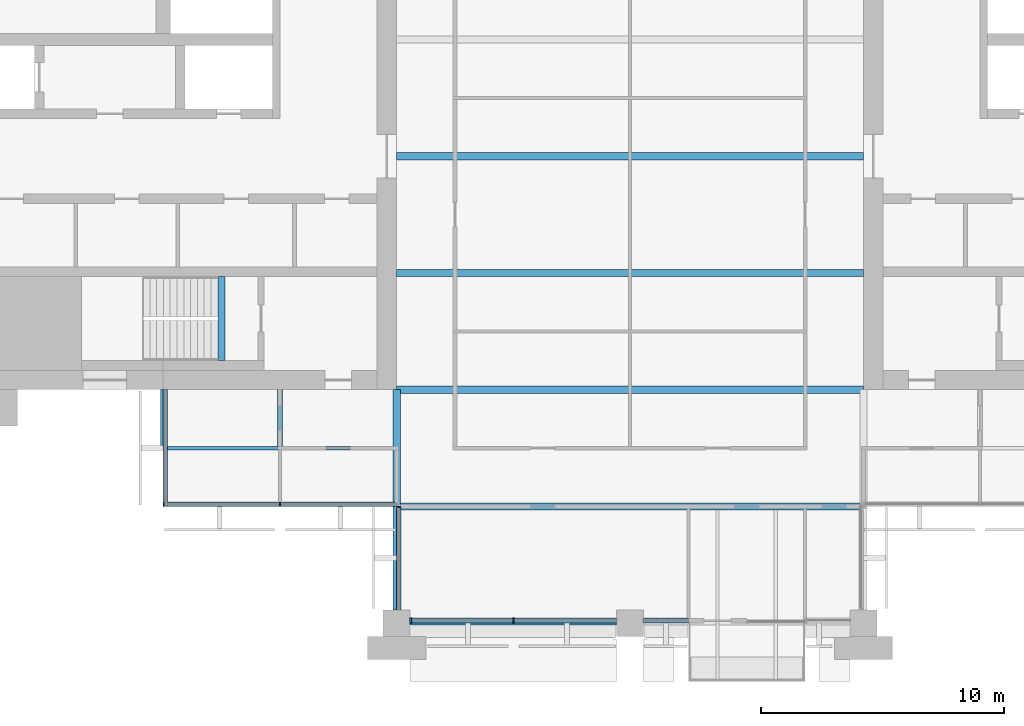
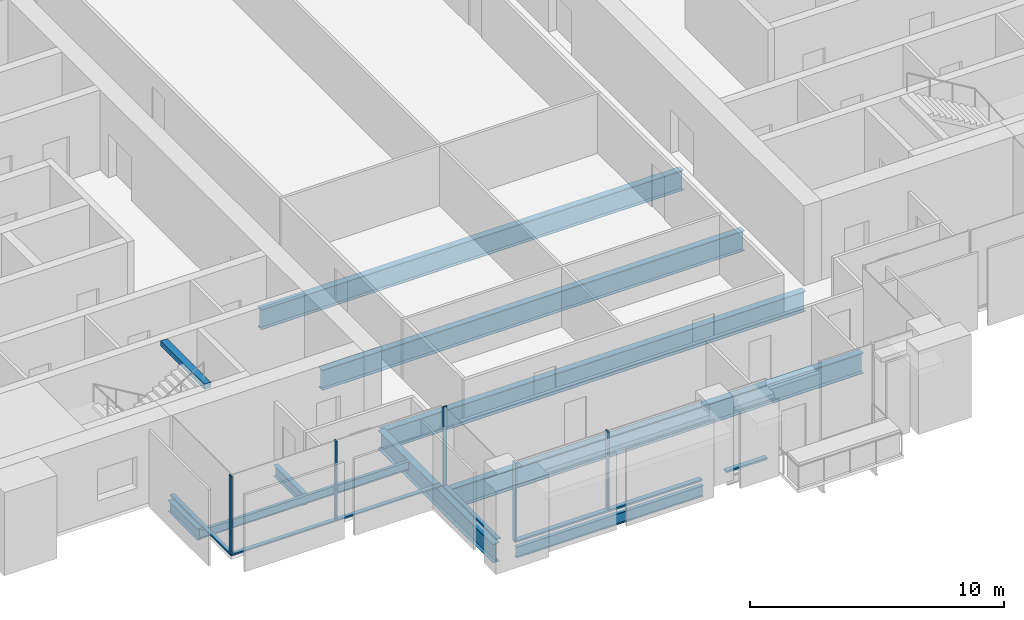
# One storey, part 2 of 14: 10 beams, 10 members, 4 elements without a shape of their own.
"""IFC4 building model written with IfcOpenShell, lengths in metres."""

from ifc_helpers import new_model, si_unit, direction, frame, origin, origin_2d, place, context, subcontext, project, spatial, rectangle, i_section, extrude, material, material_profile, profile_set, type_object, element, aggregate, save


model = new_model("IFC4")

# Units and contexts
model_context = context("Model", 3, precision=1e-05, world=origin(), true_north=direction((0.0, 1.0)))
body_context = subcontext(model_context, "Body", "Model", "MODEL_VIEW")
ifc_project = project(units=[si_unit("LENGTHUNIT", "METRE"), si_unit("AREAUNIT", "SQUARE_METRE"), si_unit("VOLUMEUNIT", "CUBIC_METRE"), si_unit("PLANEANGLEUNIT", "RADIAN"), si_unit("MASSUNIT", "GRAM", prefix="KILO")], contexts=[model_context])

# Site, building, storey
site_placement = place(None, origin())
site = spatial("IfcSite", under=ifc_project, at=site_placement, CompositionType="ELEMENT")
building_placement = place(site_placement, origin())
building = spatial("IfcBuilding", under=site, at=building_placement, Name="Baori Bourse Tower", CompositionType="ELEMENT")
storey_placement = place(building_placement, frame((0.0, 0.0, 197.199951171875)))
storey = spatial("IfcBuildingStorey", under=building, at=storey_placement, Name="L42", CompositionType="ELEMENT", Elevation=197.199951171875)

# Curtain wall, members
ifc_material_1 = material(Name="Pale anodised aluminium", Category="aluminium")
curtain_wall_type_1 = type_object("IfcCurtainWallType", Name="CW2 Curtain wall", PredefinedType="NOTDEFINED", material=ifc_material_1)
curtain_wall_1_placement = place(storey_placement, origin())
curtain_wall_1 = element("IfcCurtainWall", 1, at=curtain_wall_1_placement, inside=storey, type_object=curtain_wall_type_1, Name="Curtain wall CW2 L42 11", PredefinedType="NOTDEFINED")
ifc_material_2 = material(Name="Pale anodised aluminium", Category="aluminium")
ifc_material_profile_1 = material_profile(ifc_material_2, rectangle(XDim=0.179931640625, YDim=0.054931640625, at=origin_2d()), Name="Mullion 55x180")
ifc_profile_set_1 = profile_set([ifc_material_profile_1], Name="Pale anodised aluminium")
member_type_1 = type_object("IfcMemberType", Name="CW2 Curtain wall mullion", PredefinedType="MULLION", material=ifc_profile_set_1)
member_1_placement = place(storey_placement, frame((9.62744140625, 4.889892578125, 0.070068359375), z_axis=(0.0, 0.0, 1.0), x_axis=(0.0, 1.0, 0.0)))
member_1 = element("IfcMember", 2, at=member_1_placement, type_object=member_type_1, Name="Curtain wall CW2 mullion", PredefinedType="MULLION", context=body_context, shape_type="SweptSolid", body=[
    extrude(rectangle(XDim=0.179931640625, YDim=0.054931640625, at=origin_2d()), origin(), (0.0, 0.0, 1.0), 3.77001953125),
])
member_2_placement = place(storey_placement, frame((14.39990234375, 4.889892578125, 0.070068359375), z_axis=(0.0, 0.0, 1.0), x_axis=(0.0, 1.0, 0.0)))
member_2 = element("IfcMember", 3, at=member_2_placement, type_object=member_type_1, Name="Curtain wall CW2 mullion", PredefinedType="MULLION", context=body_context, shape_type="SweptSolid", body=[
    extrude(rectangle(XDim=0.179931640625, YDim=0.054931640625, at=origin_2d()), origin(), (0.0, 0.0, 1.0), 3.77001953125),
])

# Curtain wall, member
curtain_wall_2_placement = place(storey_placement, origin())
curtain_wall_2 = element("IfcCurtainWall", 4, at=curtain_wall_2_placement, inside=storey, type_object=curtain_wall_type_1, Name="Curtain wall CW2 L42 12", PredefinedType="NOTDEFINED")
member_3_placement = place(storey_placement, frame((19.2900390625, 4.7724609375, 0.070068359375), z_axis=(0.0, 0.0, 1.0), x_axis=(1.0, 0.0, 0.0)))
member_3 = element("IfcMember", 5, at=member_3_placement, type_object=member_type_1, Name="Curtain wall CW2 mullion", PredefinedType="MULLION", context=body_context, shape_type="SweptSolid", body=[
    extrude(rectangle(XDim=0.179931640625, YDim=0.054931640625, at=origin_2d()), origin(), (0.0, 0.0, 1.0), 3.77001953125),
])

curtain_wall_3_placement = place(storey_placement, origin())
curtain_wall_3 = element("IfcCurtainWall", 6, at=curtain_wall_3_placement, inside=storey, type_object=curtain_wall_type_1, Name="Curtain wall CW2 L42 10", PredefinedType="NOTDEFINED")
ifc_material_3 = material(Name="Pale anodised aluminium", Category="aluminium")
ifc_material_profile_2 = material_profile(ifc_material_3, rectangle(XDim=0.179931640625, YDim=0.070068359375, at=origin_2d()), Name="Transom 70x180")
ifc_profile_set_2 = profile_set([ifc_material_profile_2], Name="Pale anodised aluminium")
member_type_2 = type_object("IfcMemberType", Name="CW2 Curtain wall transom", PredefinedType="USERDEFINED", material=ifc_profile_set_2)
member_4_placement = place(storey_placement, frame((9.68994140625, 9.60009765625, 0.03515625), z_axis=(0.0, -1.0, 0.0), x_axis=(1.0, 0.0, 0.0)))
member_4 = element("IfcMember", 7, at=member_4_placement, type_object=member_type_2, Name="Curtain wall CW2 sill rail", ObjectType="TRANSOM", PredefinedType="USERDEFINED", context=body_context, shape_type="SweptSolid", body=[
    extrude(rectangle(XDim=0.179931640625, YDim=0.070068359375, at=origin_2d()), origin(), (0.0, 0.0, 1.0), 4.800048828125),
])
aggregate(curtain_wall_3, [member_4])

# Member
member_5_placement = place(storey_placement, frame((9.60009765625, 4.889892578125, 0.03515625), z_axis=(1.0, 0.0, 0.0), x_axis=(0.0, 1.0, 0.0)))
member_5 = element("IfcMember", 8, at=member_5_placement, type_object=member_type_2, Name="Curtain wall CW2 sill rail", ObjectType="TRANSOM", PredefinedType="USERDEFINED", context=body_context, shape_type="SweptSolid", body=[
    extrude(rectangle(XDim=0.179931640625, YDim=0.070068359375, at=origin_2d()), origin(), (0.0, 0.0, 1.0), 9.599853515625),
])

aggregate(curtain_wall_1, [member_5, member_1, member_2])

member_6_placement = place(storey_placement, frame((19.2900390625, 4.800048828125, 0.03515625), z_axis=(0.0, -1.0, 0.0), x_axis=(1.0, 0.0, 0.0)))
member_6 = element("IfcMember", 9, at=member_6_placement, type_object=member_type_2, Name="Curtain wall CW2 sill rail", ObjectType="TRANSOM", PredefinedType="USERDEFINED", context=body_context, shape_type="SweptSolid", body=[
    extrude(rectangle(XDim=0.179931640625, YDim=0.070068359375, at=origin_2d()), origin(), (0.0, 0.0, 1.0), 4.25),
])

aggregate(curtain_wall_2, [member_6, member_3])

# Curtain wall, members
ifc_material_4 = material(Name="Pale anodised aluminium", Category="aluminium")
curtain_wall_type_2 = type_object("IfcCurtainWallType", Name="CW5 Curtain wall", PredefinedType="NOTDEFINED", material=ifc_material_4)
curtain_wall_4_placement = place(storey_placement, origin())
curtain_wall_4 = element("IfcCurtainWall", 10, at=curtain_wall_4_placement, inside=storey, type_object=curtain_wall_type_2, Name="Curtain wall CW5 L42 13", PredefinedType="NOTDEFINED")
ifc_material_5 = material(Name="Pale anodised aluminium", Category="aluminium")
ifc_material_profile_3 = material_profile(ifc_material_5, rectangle(XDim=0.219970703125, YDim=0.06494140625, at=origin_2d()), Name="Mullion 65x220")
ifc_profile_set_3 = profile_set([ifc_material_profile_3], Name="Pale anodised aluminium")
member_type_3 = type_object("IfcMemberType", Name="CW5 Curtain wall mullion", PredefinedType="MULLION", material=ifc_profile_set_3)
member_7_placement = place(storey_placement, frame((19.782470703125, 0.110107421875, 0.0849609375), z_axis=(0.0, 0.0, 1.0), x_axis=(0.0, 1.0, 0.0)))
member_7 = element("IfcMember", 11, at=member_7_placement, type_object=member_type_3, Name="Curtain wall CW5 mullion", PredefinedType="MULLION", context=body_context, shape_type="SweptSolid", body=[
    extrude(rectangle(XDim=0.219970703125, YDim=0.06494140625, at=origin_2d()), origin(), (0.0, 0.0, 1.0), 3.755126953125),
])
member_8_placement = place(storey_placement, frame((24.0, 0.110107421875, 0.0849609375), z_axis=(0.0, 0.0, 1.0), x_axis=(0.0, 1.0, 0.0)))
member_8 = element("IfcMember", 12, at=member_8_placement, type_object=member_type_3, Name="Curtain wall CW5 mullion", PredefinedType="MULLION", context=body_context, shape_type="SweptSolid", body=[
    extrude(rectangle(XDim=0.219970703125, YDim=0.06494140625, at=origin_2d()), origin(), (0.0, 0.0, 1.0), 3.755126953125),
])
ifc_material_6 = material(Name="Pale anodised aluminium", Category="aluminium")
ifc_material_profile_4 = material_profile(ifc_material_6, rectangle(XDim=0.219970703125, YDim=0.0849609375, at=origin_2d()), Name="Transom 85x220")
ifc_profile_set_4 = profile_set([ifc_material_profile_4], Name="Pale anodised aluminium")
member_type_4 = type_object("IfcMemberType", Name="CW5 Curtain wall transom", PredefinedType="USERDEFINED", material=ifc_profile_set_4)
member_9_placement = place(storey_placement, frame((19.75, 0.110107421875, 0.04248046875), z_axis=(1.0, 0.0, 0.0), x_axis=(0.0, 1.0, 0.0)))
member_9 = element("IfcMember", 13, at=member_9_placement, type_object=member_type_4, Name="Curtain wall CW5 sill rail", ObjectType="TRANSOM", PredefinedType="USERDEFINED", context=body_context, shape_type="SweptSolid", body=[
    extrude(rectangle(XDim=0.219970703125, YDim=0.0849609375, at=origin_2d()), origin(), (0.0, 0.0, 1.0), 8.5),
])
member_10_placement = place(storey_placement, frame((29.35009765625, 0.110107421875, 0.04248046875), z_axis=(1.0, 0.0, 0.0), x_axis=(0.0, 1.0, 0.0)))
member_10 = element("IfcMember", 14, at=member_10_placement, type_object=member_type_4, Name="Curtain wall CW5 sill rail", ObjectType="TRANSOM", PredefinedType="USERDEFINED", context=body_context, shape_type="SweptSolid", body=[
    extrude(rectangle(XDim=0.219970703125, YDim=0.0849609375, at=origin_2d()), origin(), (0.0, 0.0, 1.0), 1.849853515625),
])
aggregate(curtain_wall_4, [member_9, member_7, member_8, member_10])

# Beams
ifc_material_7 = material(Name="Steel A992 Gr 50", Category="steel")
ifc_material_profile_5 = material_profile(ifc_material_7, i_section(OverallWidth=0.21240234375, OverallDepth=0.54345703125, WebThickness=0.01318359375, FlangeThickness=0.021240234375, at=origin_2d()), Name="W21x83")
ifc_profile_set_5 = profile_set([ifc_material_profile_5], Name="Steel A992 Gr 50")
beam_type_1 = type_object("IfcBeamType", Name="Core bracket W21x83", PredefinedType="BEAM", material=ifc_profile_set_5)
for number, where, z_axis, x_axis, name in (
    (15, (9.60009765625, 7.270263671875, -0.431640625), (0.0, 1.0, 0.0), (-1.0, 0.0, 0.0), "Core bracket L42"),
    (16, (14.39990234375, 7.270263671875, -0.431640625), (0.0, 1.0, 0.0), (-1.0, 0.0, 0.0), "Core bracket L42"),
):
    element("IfcBeam", number, at=place(storey_placement, frame(where, z_axis=z_axis, x_axis=x_axis)), inside=storey, type_object=beam_type_1, Name=name, PredefinedType="BEAM", context=body_context, shape_type="SweptSolid", body=[
        extrude(i_section(OverallWidth=0.21240234375, OverallDepth=0.54345703125, WebThickness=0.01318359375, FlangeThickness=0.021240234375, at=origin_2d()), origin(), (0.0, 0.0, 1.0), 2.329833984375),
    ])
ifc_material_8 = material(Name="Steel A992 Gr 50", Category="steel")
ifc_material_profile_6 = material_profile(ifc_material_8, i_section(OverallWidth=0.1650390625, OverallDepth=0.52587890625, WebThickness=0.0087890625, FlangeThickness=0.011474609375, at=origin_2d()), Name="W21x44")
ifc_profile_set_6 = profile_set([ifc_material_profile_6], Name="Steel A992 Gr 50")
beam_type_2 = type_object("IfcBeamType", Name="Edge beam W21x44", PredefinedType="BEAM", material=ifc_profile_set_6)
beam_1_placement = place(storey_placement, frame((19.75, 0.0, -0.4228515625), z_axis=(1.0, 0.0, 0.0), x_axis=(0.0, 1.0, 0.0)))
element("IfcBeam", 17, at=beam_1_placement, inside=storey, type_object=beam_type_2, Name="Edge beam L42", PredefinedType="BEAM", context=body_context, shape_type="SweptSolid", body=[
    extrude(i_section(OverallWidth=0.1650390625, OverallDepth=0.52587890625, WebThickness=0.0087890625, FlangeThickness=0.011474609375, at=origin_2d()), origin(), (0.0, 0.0, 1.0), 8.5),
])
ifc_material_9 = material(Name="Steel A992 Gr 50", Category="steel")
ifc_material_profile_7 = material_profile(ifc_material_9, i_section(OverallWidth=0.2998046875, OverallDepth=0.97021484375, WebThickness=0.01611328125, FlangeThickness=0.02099609375, at=origin_2d()), Name="W40x149")
ifc_profile_set_7 = profile_set([ifc_material_profile_7], Name="Steel A992 Gr 50")
beam_type_3 = type_object("IfcBeamType", Name="Floor beam W40x149", PredefinedType="BEAM", material=ifc_profile_set_7)
for number, where, z_axis, x_axis, name in (
    (18, (19.199951171875, 9.60009765625, -0.64501953125), (1.0, 0.0, 0.0), (0.0, 1.0, 0.0), "Floor beam L42"),
    (19, (19.199951171875, 14.39990234375, -0.64501953125), (1.0, 0.0, 0.0), (0.0, 1.0, 0.0), "Floor beam L42"),
    (20, (19.199951171875, 19.199951171875, -0.64501953125), (1.0, 0.0, 0.0), (0.0, 1.0, 0.0), "Floor beam L42"),
):
    element("IfcBeam", number, at=place(storey_placement, frame(where, z_axis=z_axis, x_axis=x_axis)), inside=storey, type_object=beam_type_3, Name=name, PredefinedType="BEAM", context=body_context, shape_type="SweptSolid", body=[
        extrude(i_section(OverallWidth=0.2998046875, OverallDepth=0.97021484375, WebThickness=0.01611328125, FlangeThickness=0.02099609375, at=origin_2d()), origin(), (0.0, 0.0, 1.0), 19.199951171875),
    ])
ifc_material_10 = material(Name="Steel A992 Gr 50", Category="steel")
ifc_material_profile_8 = material_profile(ifc_material_10, i_section(OverallWidth=0.2998046875, OverallDepth=0.990478515625, WebThickness=0.0166015625, FlangeThickness=0.030517578125, at=origin_2d()), Name="W40x183")
ifc_profile_set_8 = profile_set([ifc_material_profile_8], Name="Steel A992 Gr 50")
beam_type_4 = type_object("IfcBeamType", Name="Floor beam W40x183", PredefinedType="BEAM", material=ifc_profile_set_8)
beam_2_placement = place(storey_placement, frame((19.352294921875, 4.800048828125, -0.6552734375), z_axis=(1.0, 0.0, 0.0), x_axis=(0.0, 1.0, 0.0)))
element("IfcBeam", 21, at=beam_2_placement, inside=storey, type_object=beam_type_4, Name="Floor beam L42", PredefinedType="BEAM", context=body_context, shape_type="SweptSolid", body=[
    extrude(i_section(OverallWidth=0.2998046875, OverallDepth=0.990478515625, WebThickness=0.0166015625, FlangeThickness=0.030517578125, at=origin_2d()), origin(), (0.0, 0.0, 1.0), 18.89794921875),
])
ifc_material_11 = material(Name="Steel A992 Gr 50", Category="steel")
ifc_material_profile_9 = material_profile(ifc_material_11, i_section(OverallWidth=0.3046875, OverallDepth=0.904296875, WebThickness=0.01513671875, FlangeThickness=0.02001953125, at=origin_2d()), Name="W36x135")
ifc_profile_set_9 = profile_set([ifc_material_profile_9], Name="Steel A992 Gr 50")
beam_type_5 = type_object("IfcBeamType", Name="Girder W36x135", PredefinedType="BEAM", material=ifc_profile_set_9)
beam_3_placement = place(storey_placement, frame((19.199951171875, 0.550048828125, -0.612060546875), z_axis=(0.0, 1.0, 0.0), x_axis=(-1.0, 0.0, 0.0)))
element("IfcBeam", 22, at=beam_3_placement, inside=storey, type_object=beam_type_5, Name="Girder L42", PredefinedType="BEAM", context=body_context, shape_type="SweptSolid", body=[
    extrude(i_section(OverallWidth=0.3046875, OverallDepth=0.904296875, WebThickness=0.01513671875, FlangeThickness=0.02001953125, at=origin_2d()), origin(), (0.0, 0.0, 1.0), 9.050048828125),
])
ifc_material_12 = material(Name="Concrete f'c 50 MPa", Category="concrete")
ifc_material_profile_10 = material_profile(ifc_material_12, rectangle(XDim=0.300048828125, YDim=0.25, at=origin_2d()), Name="RC 300x250")
ifc_profile_set_10 = profile_set([ifc_material_profile_10], Name="Concrete f'c 50 MPa")
beam_type_6 = type_object("IfcBeamType", Name="Stair nib beam RC 300x250", PredefinedType="BEAM", material=ifc_profile_set_10)
beam_4_placement = place(storey_placement, frame((12.0, 10.800048828125, 3.715087890625), z_axis=(0.0, 1.0, 0.0), x_axis=(-1.0, 0.0, 0.0)))
element("IfcBeam", 23, at=beam_4_placement, inside=storey, type_object=beam_type_6, Name="Stair WA nib beam L43", PredefinedType="BEAM", context=body_context, shape_type="SweptSolid", body=[
    extrude(rectangle(XDim=0.300048828125, YDim=0.25, at=origin_2d()), origin(), (0.0, 0.0, 1.0), 3.449951171875),
])
ifc_material_13 = material(Name="Steel A992 Gr 50", Category="steel")
ifc_material_profile_11 = material_profile(ifc_material_13, i_section(OverallWidth=0.140380859375, OverallDepth=0.40380859375, WebThickness=0.007080078125, FlangeThickness=0.01123046875, at=origin_2d()), Name="W16x31")
ifc_profile_set_11 = profile_set([ifc_material_profile_11], Name="Steel A992 Gr 50")
beam_type_7 = type_object("IfcBeamType", Name="Trimmer beam W16x31", PredefinedType="BEAM", material=ifc_profile_set_11)
beam_5_placement = place(storey_placement, frame((9.60009765625, 7.199951171875, -0.36181640625), z_axis=(1.0, 0.0, 0.0), x_axis=(0.0, 1.0, 0.0)))
element("IfcBeam", 24, at=beam_5_placement, inside=storey, type_object=beam_type_7, Name="Trimmer beam L42", PredefinedType="BEAM", context=body_context, shape_type="SweptSolid", body=[
    extrude(i_section(OverallWidth=0.140380859375, OverallDepth=0.40380859375, WebThickness=0.007080078125, FlangeThickness=0.01123046875, at=origin_2d()), origin(), (0.0, 0.0, 1.0), 9.447509765625),
])

save(model, "model.ifc")
